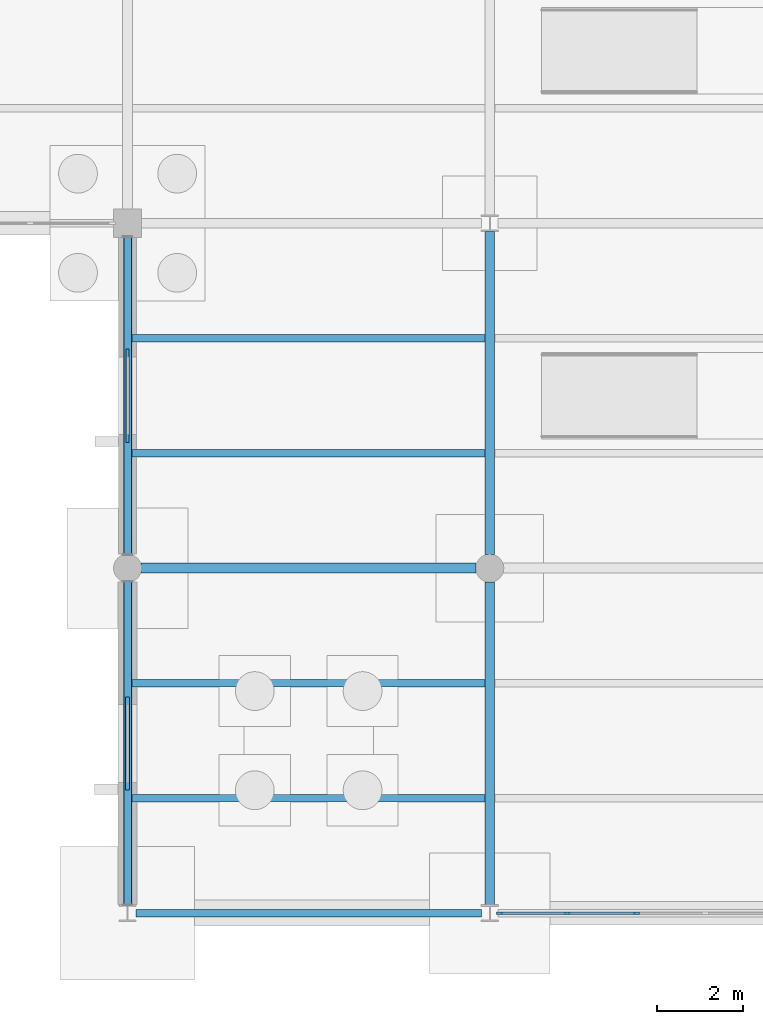
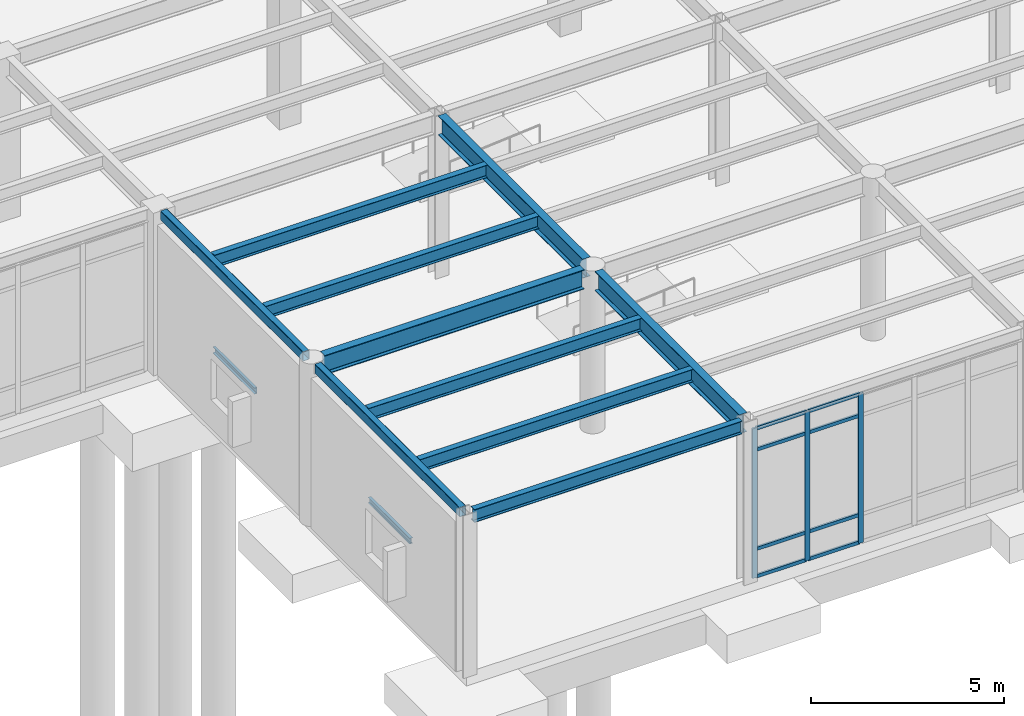
# One storey, part 24 of 138: 12 beams, 11 members, 1 element without a shape of its own.
"""IFC4 building model written with IfcOpenShell, lengths in metres."""

from ifc_helpers import new_model, si_unit, direction, frame, origin, origin_2d, place, context, subcontext, project, spatial, rectangle, hollow_rectangle, i_section, u_section, extrude, material, layer, layer_set, material_profile, profile_set, type_object, element, aggregate, save


model = new_model("IFC4")

# Units and contexts
model_context = context("Model", 3, precision=1e-05, world=origin(), true_north=direction((0.0, 1.0)))
body_context = subcontext(model_context, "Body", "Model", "MODEL_VIEW")
ifc_project = project(units=[si_unit("LENGTHUNIT", "METRE"), si_unit("AREAUNIT", "SQUARE_METRE"), si_unit("VOLUMEUNIT", "CUBIC_METRE"), si_unit("PLANEANGLEUNIT", "RADIAN"), si_unit("MASSUNIT", "GRAM", prefix="KILO")], contexts=[model_context])

# Site, building, storey
site_placement = place(None, origin())
site = spatial("IfcSite", under=ifc_project, at=site_placement, CompositionType="ELEMENT")
building_placement = place(site_placement, origin())
building = spatial("IfcBuilding", under=site, at=building_placement, Name="Kranzveld Transit Interchange", CompositionType="ELEMENT")
storey_placement = place(building_placement, origin())
storey = spatial("IfcBuildingStorey", under=building, at=storey_placement, Name="L00", CompositionType="ELEMENT", Elevation=0.0)

# Curtain wall, members
ifc_material_1 = material(Name="Bronze-anodised thermally broken aluminium", Category="aluminium")
ifc_layer = layer(ifc_material_1, 0.14990234375)
ifc_layer_set = layer_set([ifc_layer], Name="Bronze-anodised thermally broken aluminium")
curtain_wall_type = type_object("IfcCurtainWallType", Name="Public Passage Clerestory Screen CW-4", PredefinedType="USERDEFINED", material=ifc_layer_set)
curtain_wall_placement = place(storey_placement, origin())
curtain_wall = element("IfcCurtainWall", 1, at=curtain_wall_placement, inside=storey, type_object=curtain_wall_type, Name="L00 Curtain Wall 08/A-09/A", ObjectType="CURTAIN WALL", PredefinedType="USERDEFINED")
ifc_material_2 = material(Name="Bronze-anodised thermally broken aluminium", Category="aluminium")
ifc_material_profile_1 = material_profile(ifc_material_2, rectangle(XDim=0.06005859375, YDim=0.14990234375, at=origin_2d()), Name="ALU MULLION 60x150")
ifc_profile_set_1 = profile_set([ifc_material_profile_1], Name="Bronze-anodised thermally broken aluminium")
member_type_1 = type_object("IfcMemberType", Name="Curtain Wall Mullion 60x150 Alu", PredefinedType="MULLION", material=ifc_profile_set_1)
member_1_placement = place(storey_placement, frame((59.029541015625, 0.0, 0.0), z_axis=(0.0, 0.0, 1.0), x_axis=(0.0, 1.0, 0.0)))
member_1 = element("IfcMember", 2, at=member_1_placement, type_object=member_type_1, Name="CW-4 mullion 1", PredefinedType="MULLION", context=body_context, shape_type="SweptSolid", body=[
    extrude(rectangle(XDim=0.06005859375, YDim=0.14990234375, at=origin_2d()), origin(), (0.0, 0.0, 1.0), 4.740478515625),
])
member_2_placement = place(storey_placement, frame((60.599609375, 0.0, 0.0), z_axis=(0.0, 0.0, 1.0), x_axis=(0.0, 1.0, 0.0)))
member_2 = element("IfcMember", 3, at=member_2_placement, type_object=member_type_1, Name="CW-4 mullion 2", PredefinedType="MULLION", context=body_context, shape_type="SweptSolid", body=[
    extrude(rectangle(XDim=0.06005859375, YDim=0.14990234375, at=origin_2d()), origin(), (0.0, 0.0, 1.0), 4.740478515625),
])
member_3_placement = place(storey_placement, frame((62.199951171875, 0.0, 0.0), z_axis=(0.0, 0.0, 1.0), x_axis=(0.0, 1.0, 0.0)))
member_3 = element("IfcMember", 4, at=member_3_placement, type_object=member_type_1, Name="CW-4 mullion 3", PredefinedType="MULLION", context=body_context, shape_type="SweptSolid", body=[
    extrude(rectangle(XDim=0.06005859375, YDim=0.14990234375, at=origin_2d()), origin(), (0.0, 0.0, 1.0), 4.740478515625),
])
ifc_material_3 = material(Name="Bronze-anodised thermally broken aluminium", Category="aluminium")
ifc_material_profile_2 = material_profile(ifc_material_3, rectangle(XDim=0.06005859375, YDim=0.110107421875, at=origin_2d()), Name="ALU TRANSOM 60x110")
ifc_profile_set_2 = profile_set([ifc_material_profile_2], Name="Bronze-anodised thermally broken aluminium")
member_type_2 = type_object("IfcMemberType", Name="Curtain Wall Transom 60x110 Alu", PredefinedType="USERDEFINED", material=ifc_profile_set_2)
member_4_placement = place(storey_placement, frame((59.0595703125, 0.0, 0.030029296875), z_axis=(1.0, 0.0, 0.0), x_axis=(0.0, 1.0, 0.0)))
member_4 = element("IfcMember", 5, at=member_4_placement, type_object=member_type_2, Name="CW-4 transom 1.1", ObjectType="TRANSOM", PredefinedType="USERDEFINED", context=body_context, shape_type="SweptSolid", body=[
    extrude(rectangle(XDim=0.06005859375, YDim=0.110107421875, at=origin_2d()), origin(), (0.0, 0.0, 1.0), 1.510009765625),
])
member_5_placement = place(storey_placement, frame((59.0595703125, 0.0, 0.89990234375), z_axis=(1.0, 0.0, 0.0), x_axis=(0.0, 1.0, 0.0)))
member_5 = element("IfcMember", 6, at=member_5_placement, type_object=member_type_2, Name="CW-4 transom 1.2", ObjectType="TRANSOM", PredefinedType="USERDEFINED", context=body_context, shape_type="SweptSolid", body=[
    extrude(rectangle(XDim=0.06005859375, YDim=0.110107421875, at=origin_2d()), origin(), (0.0, 0.0, 1.0), 1.510009765625),
])
member_6_placement = place(storey_placement, frame((59.0595703125, 0.0, 4.04052734375), z_axis=(1.0, 0.0, 0.0), x_axis=(0.0, 1.0, 0.0)))
member_6 = element("IfcMember", 7, at=member_6_placement, type_object=member_type_2, Name="CW-4 transom 1.3", ObjectType="TRANSOM", PredefinedType="USERDEFINED", context=body_context, shape_type="SweptSolid", body=[
    extrude(rectangle(XDim=0.06005859375, YDim=0.110107421875, at=origin_2d()), origin(), (0.0, 0.0, 1.0), 1.510009765625),
])
member_7_placement = place(storey_placement, frame((59.0595703125, 0.0, 4.710693359375), z_axis=(1.0, 0.0, 0.0), x_axis=(0.0, 1.0, 0.0)))
member_7 = element("IfcMember", 8, at=member_7_placement, type_object=member_type_2, Name="CW-4 transom 1.4", ObjectType="TRANSOM", PredefinedType="USERDEFINED", context=body_context, shape_type="SweptSolid", body=[
    extrude(rectangle(XDim=0.06005859375, YDim=0.110107421875, at=origin_2d()), origin(), (0.0, 0.0, 1.0), 1.510009765625),
])
member_8_placement = place(storey_placement, frame((60.629638671875, 0.0, 0.030029296875), z_axis=(1.0, 0.0, 0.0), x_axis=(0.0, 1.0, 0.0)))
member_8 = element("IfcMember", 9, at=member_8_placement, type_object=member_type_2, Name="CW-4 transom 2.1", ObjectType="TRANSOM", PredefinedType="USERDEFINED", context=body_context, shape_type="SweptSolid", body=[
    extrude(rectangle(XDim=0.06005859375, YDim=0.110107421875, at=origin_2d()), origin(), (0.0, 0.0, 1.0), 1.540283203125),
])
member_9_placement = place(storey_placement, frame((60.629638671875, 0.0, 0.89990234375), z_axis=(1.0, 0.0, 0.0), x_axis=(0.0, 1.0, 0.0)))
member_9 = element("IfcMember", 10, at=member_9_placement, type_object=member_type_2, Name="CW-4 transom 2.2", ObjectType="TRANSOM", PredefinedType="USERDEFINED", context=body_context, shape_type="SweptSolid", body=[
    extrude(rectangle(XDim=0.06005859375, YDim=0.110107421875, at=origin_2d()), origin(), (0.0, 0.0, 1.0), 1.540283203125),
])
member_10_placement = place(storey_placement, frame((60.629638671875, 0.0, 4.04052734375), z_axis=(1.0, 0.0, 0.0), x_axis=(0.0, 1.0, 0.0)))
member_10 = element("IfcMember", 11, at=member_10_placement, type_object=member_type_2, Name="CW-4 transom 2.3", ObjectType="TRANSOM", PredefinedType="USERDEFINED", context=body_context, shape_type="SweptSolid", body=[
    extrude(rectangle(XDim=0.06005859375, YDim=0.110107421875, at=origin_2d()), origin(), (0.0, 0.0, 1.0), 1.540283203125),
])
member_11_placement = place(storey_placement, frame((60.629638671875, 0.0, 4.710693359375), z_axis=(1.0, 0.0, 0.0), x_axis=(0.0, 1.0, 0.0)))
member_11 = element("IfcMember", 12, at=member_11_placement, type_object=member_type_2, Name="CW-4 transom 2.4", ObjectType="TRANSOM", PredefinedType="USERDEFINED", context=body_context, shape_type="SweptSolid", body=[
    extrude(rectangle(XDim=0.06005859375, YDim=0.110107421875, at=origin_2d()), origin(), (0.0, 0.0, 1.0), 1.540283203125),
])
aggregate(curtain_wall, [member_1, member_2, member_3, member_4, member_5, member_6, member_7, member_8, member_9, member_10, member_11])

# Beams
ifc_material_4 = material(Name="Steel S355JR", Category="steel")
ifc_material_profile_3 = material_profile(ifc_material_4, hollow_rectangle(XDim=0.199951171875, YDim=0.300048828125, WallThickness=0.010009765625, InnerFilletRadius=0.014892578125, OuterFilletRadius=0.02490234375, at=origin_2d()), Name="RHS 300x200x10")
ifc_profile_set_3 = profile_set([ifc_material_profile_3], Name="Steel S355JR")
beam_type_1 = type_object("IfcBeamType", Name="Edge Spandrel RHS 300x200x10 S355JR", PredefinedType="SPANDREL", material=ifc_profile_set_3)
beam_1_placement = place(storey_placement, frame((50.39990234375, 0.186767578125, 5.0), z_axis=(0.0, 1.0, 0.0), x_axis=(-1.0, 0.0, 0.0)))
element("IfcBeam", 13, at=beam_1_placement, inside=storey, type_object=beam_type_1, Name="L00 Girder 07/A-B", PredefinedType="SPANDREL", context=body_context, shape_type="SweptSolid", body=[
    extrude(hollow_rectangle(XDim=0.199951171875, YDim=0.300048828125, WallThickness=0.010009765625, InnerFilletRadius=0.014892578125, OuterFilletRadius=0.02490234375, at=origin_2d()), origin(), (0.0, 0.0, 1.0), 7.498291015625),
])
beam_2_placement = place(storey_placement, frame((50.39990234375, 8.31494140625, 5.0), z_axis=(0.0, 1.0, 0.0), x_axis=(-1.0, 0.0, 0.0)))
element("IfcBeam", 14, at=beam_2_placement, inside=storey, type_object=beam_type_1, Name="L00 Girder 07/B-C", PredefinedType="SPANDREL", context=body_context, shape_type="SweptSolid", body=[
    extrude(hollow_rectangle(XDim=0.199951171875, YDim=0.300048828125, WallThickness=0.010009765625, InnerFilletRadius=0.014892578125, OuterFilletRadius=0.02490234375, at=origin_2d()), origin(), (0.0, 0.0, 1.0), 7.3701171875),
])
ifc_material_5 = material(Name="Steel S355JR", Category="steel")
ifc_material_profile_4 = material_profile(ifc_material_5, i_section(OverallWidth=0.1787109375, OverallDepth=0.409423828125, WebThickness=0.0087890625, FlangeThickness=0.014404296875, FilletRadius=0.01025390625, at=origin_2d()), Name="UB 406x178x67")
ifc_profile_set_4 = profile_set([ifc_material_profile_4], Name="Steel S355JR")
beam_type_2 = type_object("IfcBeamType", Name="Facade Spandrel UB 406x178x67 S355JR", PredefinedType="SPANDREL", material=ifc_profile_set_4)
beam_3_placement = place(storey_placement, frame((50.589599609375, 0.0, 4.9453125), z_axis=(1.0, 0.0, 0.0), x_axis=(0.0, 1.0, 0.0)))
element("IfcBeam", 15, at=beam_3_placement, inside=storey, type_object=beam_type_2, Name="L00 Girder 07-08/A", PredefinedType="SPANDREL", context=body_context, shape_type="SweptSolid", body=[
    extrude(i_section(OverallWidth=0.1787109375, OverallDepth=0.409423828125, WebThickness=0.0087890625, FlangeThickness=0.014404296875, FilletRadius=0.01025390625, at=origin_2d()), origin(), (0.0, 0.0, 1.0), 8.02099609375),
])
ifc_material_6 = material(Name="Steel S355JR", Category="steel")
ifc_material_profile_5 = material_profile(ifc_material_6, i_section(OverallWidth=0.177734375, OverallDepth=0.402587890625, WebThickness=0.0078125, FlangeThickness=0.010986328125, FilletRadius=0.01025390625, at=origin_2d()), Name="UB 406x178x54")
ifc_profile_set_5 = profile_set([ifc_material_profile_5], Name="Steel S355JR")
beam_type_3 = type_object("IfcBeamType", Name="Floor Joist UB 406x178x54 S355JR", PredefinedType="JOIST", material=ifc_profile_set_5)
for number, where, z_axis, x_axis, name in (
    (16, (50.501953125, 2.666748046875, 4.94873046875), (1.0, 0.0, 0.0), (0.0, 1.0, 0.0), "L00 Secondary Joist 07-08/A.1"),
    (17, (50.501953125, 5.333251953125, 4.94873046875), (1.0, 0.0, 0.0), (0.0, 1.0, 0.0), "L00 Secondary Joist 07-08/A.2"),
    (18, (50.501953125, 10.666748046875, 4.94873046875), (1.0, 0.0, 0.0), (0.0, 1.0, 0.0), "L00 Secondary Joist 07-08/B.1"),
    (19, (50.501953125, 13.333251953125, 4.94873046875), (1.0, 0.0, 0.0), (0.0, 1.0, 0.0), "L00 Secondary Joist 07-08/B.2"),
):
    element("IfcBeam", number, at=place(storey_placement, frame(where, z_axis=z_axis, x_axis=x_axis)), inside=storey, type_object=beam_type_3, Name=name, PredefinedType="JOIST", context=body_context, shape_type="SweptSolid", body=[
        extrude(i_section(OverallWidth=0.177734375, OverallDepth=0.402587890625, WebThickness=0.0078125, FlangeThickness=0.010986328125, FilletRadius=0.01025390625, at=origin_2d()), origin(), (0.0, 0.0, 1.0), 8.181884765625),
    ])
ifc_material_7 = material(Name="Steel S355JR", Category="steel")
ifc_material_profile_6 = material_profile(ifc_material_7, i_section(OverallWidth=0.228271484375, OverallDepth=0.607666015625, WebThickness=0.010986328125, FlangeThickness=0.017333984375, FilletRadius=0.0126953125, at=origin_2d()), Name="UB 610x229x113")
ifc_profile_set_6 = profile_set([ifc_material_profile_6], Name="Steel S355JR")
beam_type_4 = type_object("IfcBeamType", Name="Girder Steel UB 610x229x113 S355JR", PredefinedType="BEAM", material=ifc_profile_set_6)
for number, where, z_axis, x_axis, name in (
    (20, (58.800048828125, 0.186767578125, 4.84619140625), (0.0, 1.0, 0.0), (-1.0, 0.0, 0.0), "L00 Girder 08/A-B"),
    (21, (58.800048828125, 8.31494140625, 4.84619140625), (0.0, 1.0, 0.0), (-1.0, 0.0, 0.0), "L00 Girder 08/B-C"),
):
    element("IfcBeam", number, at=place(storey_placement, frame(where, z_axis=z_axis, x_axis=x_axis)), inside=storey, type_object=beam_type_4, Name=name, PredefinedType="BEAM", context=body_context, shape_type="SweptSolid", body=[
        extrude(i_section(OverallWidth=0.228271484375, OverallDepth=0.607666015625, WebThickness=0.010986328125, FlangeThickness=0.017333984375, FilletRadius=0.0126953125, at=origin_2d()), origin(), (0.0, 0.0, 1.0), 7.498291015625),
    ])
ifc_material_8 = material(Name="Steel S355JR", Category="steel")
ifc_material_profile_7 = material_profile(ifc_material_8, i_section(OverallWidth=0.230224609375, OverallDepth=0.6171875, WebThickness=0.01318359375, FlangeThickness=0.022216796875, FilletRadius=0.0126953125, at=origin_2d()), Name="UB 610x229x140")
ifc_profile_set_7 = profile_set([ifc_material_profile_7], Name="Steel S355JR")
beam_type_5 = type_object("IfcBeamType", Name="Girder Steel UB 610x229x140 S355JR", PredefinedType="BEAM", material=ifc_profile_set_7)
beam_4_placement = place(storey_placement, frame((50.715087890625, 8.0, 4.84130859375), z_axis=(1.0, 0.0, 0.0), x_axis=(0.0, 1.0, 0.0)))
element("IfcBeam", 22, at=beam_4_placement, inside=storey, type_object=beam_type_5, Name="L00 Girder 07-08/B", PredefinedType="BEAM", context=body_context, shape_type="SweptSolid", body=[
    extrude(i_section(OverallWidth=0.230224609375, OverallDepth=0.6171875, WebThickness=0.01318359375, FlangeThickness=0.022216796875, FilletRadius=0.0126953125, at=origin_2d()), origin(), (0.0, 0.0, 1.0), 7.77001953125),
])
ifc_material_9 = material(Name="Steel S355JR", Category="steel")
ifc_material_profile_8 = material_profile(ifc_material_9, u_section(Depth=0.199951171875, FlangeWidth=0.074951171875, WebThickness=0.006103515625, FlangeThickness=0.012451171875, FilletRadius=0.011962890625, at=origin_2d()), Name="PFC 200x75x23")
ifc_profile_set_8 = profile_set([ifc_material_profile_8], Name="Steel S355JR")
beam_type_6 = type_object("IfcBeamType", Name="Masonry Lintel PFC 200x75x23 S355JR", PredefinedType="LINTEL", material=ifc_profile_set_8)
beam_5_placement = place(storey_placement, frame((50.39990234375, 10.919921875, 2.304931640625), z_axis=(0.0, 1.0, 0.0), x_axis=(-1.0, 0.0, 0.0)))
element("IfcBeam", 23, at=beam_5_placement, inside=storey, type_object=beam_type_6, Name="L00 Window Lintel 052", PredefinedType="LINTEL", context=body_context, shape_type="SweptSolid", body=[
    extrude(u_section(Depth=0.199951171875, FlangeWidth=0.074951171875, WebThickness=0.006103515625, FlangeThickness=0.012451171875, FilletRadius=0.011962890625, at=origin_2d()), origin(), (0.0, 0.0, 1.0), 2.16015625),
])
ifc_material_10 = material(Name="Steel S355JR", Category="steel")
ifc_material_profile_9 = material_profile(ifc_material_10, i_section(OverallWidth=0.091064453125, OverallDepth=0.179931640625, WebThickness=0.00537109375, FlangeThickness=0.008056640625, FilletRadius=0.009033203125, at=origin_2d()), Name="IPE 180")
ifc_profile_set_9 = profile_set([ifc_material_profile_9], Name="Steel S355JR")
beam_type_7 = type_object("IfcBeamType", Name="Opening Lintel IPE 180 S355JR", PredefinedType="LINTEL", material=ifc_profile_set_9)
beam_6_placement = place(storey_placement, frame((50.39990234375, 2.85595703125, 2.445068359375), z_axis=(0.0, 1.0, 0.0), x_axis=(-1.0, 0.0, 0.0)))
element("IfcBeam", 24, at=beam_6_placement, inside=storey, type_object=beam_type_7, Name="L00 Window Lintel 051", PredefinedType="LINTEL", context=body_context, shape_type="SweptSolid", body=[
    extrude(i_section(OverallWidth=0.091064453125, OverallDepth=0.179931640625, WebThickness=0.00537109375, FlangeThickness=0.008056640625, FilletRadius=0.009033203125, at=origin_2d()), origin(), (0.0, 0.0, 1.0), 2.159912109375),
])

save(model, "model.ifc")
